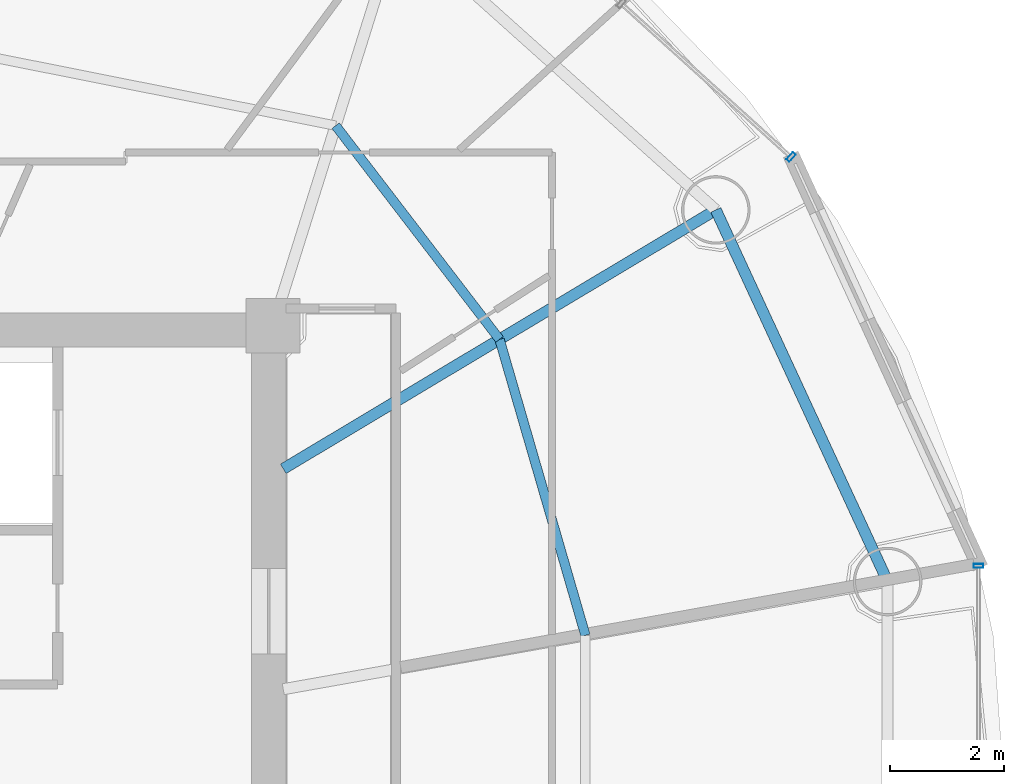
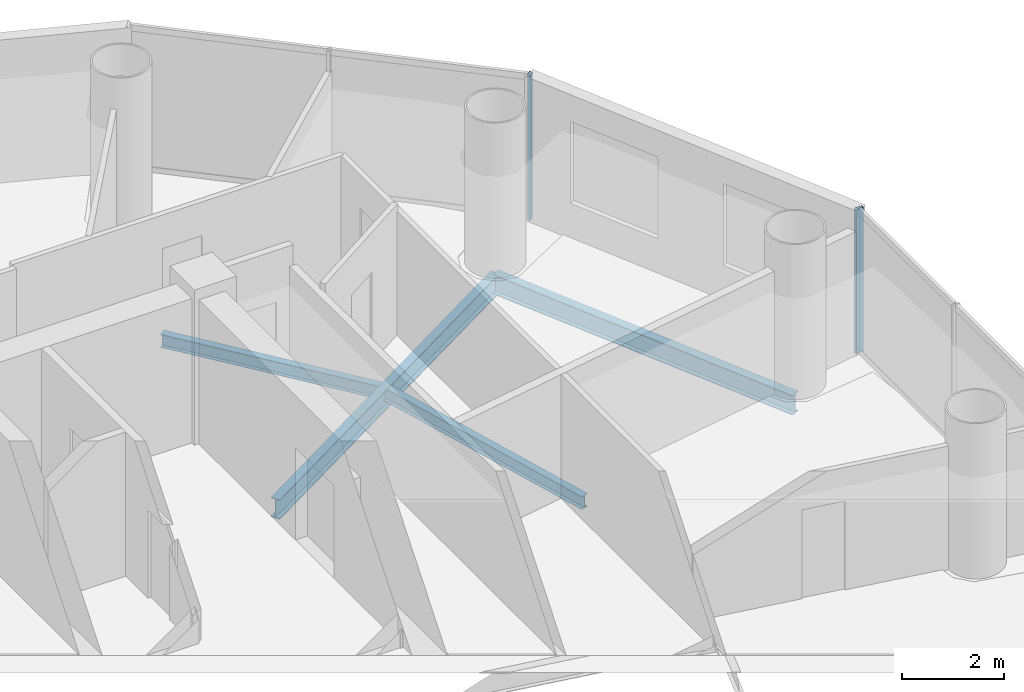
# One storey, part 13 of 27: 4 beams, 2 members, 2 elements without a shape of their own.
"""IFC4 building model written with IfcOpenShell, lengths in metres."""

from ifc_helpers import new_model, si_unit, direction, frame, origin, origin_2d, place, context, subcontext, project, spatial, hollow_rectangle, i_section, extrude, source, transform, mapped, material, material_profile, profile_set, type_object, element, aggregate, save


model = new_model("IFC4")

# Units and contexts
model_context = context("Model", 3, precision=1e-05, world=origin(), true_north=direction((-0.2419218956, 0.970295726276)))
body_context = subcontext(model_context, "Body", "Model", "MODEL_VIEW")
ifc_project = project(units=[si_unit("LENGTHUNIT", "METRE"), si_unit("AREAUNIT", "SQUARE_METRE"), si_unit("VOLUMEUNIT", "CUBIC_METRE"), si_unit("PLANEANGLEUNIT", "RADIAN"), si_unit("MASSUNIT", "GRAM", prefix="KILO")], contexts=[model_context])

# Site, building, storey
site_placement = place(None, origin())
site = spatial("IfcSite", under=ifc_project, at=site_placement, CompositionType="ELEMENT")
building_placement = place(site_placement, origin())
building = spatial("IfcBuilding", under=site, at=building_placement, Name="Cobrevalo Terracotta Tower", CompositionType="ELEMENT")
storey_placement = place(building_placement, frame((0.0, 0.0, 198.60009765625)))
storey = spatial("IfcBuildingStorey", under=building, at=storey_placement, Name="L52", CompositionType="ELEMENT", Elevation=198.60009765625)

# Beams
ifc_material_1 = material(Name="Steel S355", Category="steel")
ifc_material_profile_1 = material_profile(ifc_material_1, i_section(OverallWidth=0.194091796875, OverallDepth=0.468994140625, WebThickness=0.011474609375, FlangeThickness=0.0205078125, at=origin_2d()), Name="W 460x106")
ifc_profile_set_1 = profile_set([ifc_material_profile_1], Name="Steel S355")
beam_type_1 = type_object("IfcBeamType", Name="Structural Beam W 460x106 (Steel S355)", PredefinedType="BEAM", material=ifc_profile_set_1)
beam_1_placement = place(storey_placement, frame((54.754150390625, 36.828125, -0.49951171875), z_axis=(-0.858046392192, -0.513572184651, 0.0), x_axis=(0.513572184651, -0.858046392192, 0.0)))
element("IfcBeam", 1, at=beam_1_placement, inside=storey, type_object=beam_type_1, Name="L52 radial floor girder 02", PredefinedType="BEAM", context=body_context, shape_type="SweptSolid", body=[
    extrude(i_section(OverallWidth=0.194091796875, OverallDepth=0.468994140625, WebThickness=0.011474609375, FlangeThickness=0.0205078125, at=origin_2d()), origin(), (0.0, 0.0, 1.0), 8.827392578125),
])
ifc_material_profile_2 = material_profile(ifc_material_1, i_section(OverallWidth=0.1650390625, OverallDepth=0.31005859375, WebThickness=0.005859375, FlangeThickness=0.009765625, at=origin_2d()), Name="W 310x38.7")
ifc_profile_set_2 = profile_set([ifc_material_profile_2], Name="Steel S355")
beam_type_2 = type_object("IfcBeamType", Name="Structural Joist W 310x38.7 (Steel S355)", PredefinedType="JOIST", material=ifc_profile_set_2)
beam_2_placement = place(storey_placement, frame((52.471435546875, 29.378662109375, -0.420166015625), z_axis=(-0.278769817131, 0.960357948401, 0.0), x_axis=(-0.960357948401, -0.278769817131, 0.0)))
element("IfcBeam", 2, at=beam_2_placement, inside=storey, type_object=beam_type_2, Name="L52 circumferential secondary floor joist 01", PredefinedType="JOIST", context=body_context, shape_type="SweptSolid", body=[
    extrude(i_section(OverallWidth=0.1650390625, OverallDepth=0.31005859375, WebThickness=0.005859375, FlangeThickness=0.009765625, at=origin_2d()), origin(), (0.0, 0.0, 1.0), 5.396484375),
])
beam_3_placement = place(storey_placement, frame((50.967041015625, 34.561279296875, -0.420166015625), z_axis=(-0.608464146296, 0.793581364872, 0.0), x_axis=(-0.793581364872, -0.608464146296, 0.0)))
element("IfcBeam", 3, at=beam_3_placement, inside=storey, type_object=beam_type_2, Name="L52 circumferential secondary floor joist 02", PredefinedType="JOIST", context=body_context, shape_type="SweptSolid", body=[
    extrude(i_section(OverallWidth=0.1650390625, OverallDepth=0.31005859375, WebThickness=0.005859375, FlangeThickness=0.009765625, at=origin_2d()), origin(), (0.0, 0.0, 1.0), 4.716064453125),
])
ifc_material_profile_3 = material_profile(ifc_material_1, i_section(OverallWidth=0.194091796875, OverallDepth=0.468994140625, WebThickness=0.011474609375, FlangeThickness=0.0205078125, at=origin_2d()), Name="W 460x106")
ifc_profile_set_3 = profile_set([ifc_material_profile_3], Name="Steel S355")
beam_type_3 = type_object("IfcBeamType", Name="Structural Spandrel W 460x106 (Steel S355)", PredefinedType="SPANDREL", material=ifc_profile_set_3)
beam_4_placement = place(storey_placement, frame((57.762939453125, 30.3212890625, -0.49951171875), z_axis=(-0.419705965131, 0.907660125176, 0.0), x_axis=(-0.907660125176, -0.419705965131, 0.0)))
element("IfcBeam", 4, at=beam_4_placement, inside=storey, type_object=beam_type_3, Name="L52 perimeter ring spandrel 01", PredefinedType="SPANDREL", context=body_context, shape_type="SweptSolid", body=[
    extrude(i_section(OverallWidth=0.194091796875, OverallDepth=0.468994140625, WebThickness=0.011474609375, FlangeThickness=0.0205078125, at=origin_2d()), origin(), (0.0, 0.0, 1.0), 7.168701171875),
])

# Curtain wall, member
ifc_material_2 = material(Name="Anodized aluminium", Category="aluminium")
curtain_wall_type = type_object("IfcCurtainWallType", Name="Mid-tower high-wind unitised curtain wall CW-U2", PredefinedType="NOTDEFINED", material=ifc_material_2)
curtain_wall_1_placement = place(storey_placement, origin())
curtain_wall_1 = element("IfcCurtainWall", 5, at=curtain_wall_1_placement, inside=storey, type_object=curtain_wall_type, Name="L52 curtain wall CW-L52-S02", PredefinedType="NOTDEFINED")
ifc_material_profile_4 = material_profile(ifc_material_2, hollow_rectangle(XDim=0.070068359375, YDim=0.169921875, WallThickness=0.00439453125, at=origin_2d()), Name="CWM 70x170")
ifc_profile_set_4 = profile_set([ifc_material_profile_4], Name="Anodized aluminium")
member_type = type_object("IfcMemberType", Name="Upper tower unitised mullion 70x170", PredefinedType="MULLION", material=ifc_profile_set_4)
shared_shape = source(origin(), body_context, "Body", "SweptSolid", [
    extrude(hollow_rectangle(XDim=0.070068359375, YDim=0.169921875, WallThickness=0.00439453125, at=origin_2d()), origin(), (0.0, 0.0, 1.0), 3.434814453125),
])
member_1_placement = place(storey_placement, frame((56.071533203125, 37.7548828125, 0.0), z_axis=(0.0, 0.0, 1.0), x_axis=(-0.741987542015, 0.670413668935, 0.0)))
member_1 = element("IfcMember", 6, at=member_1_placement, type_object=member_type, Name="CW-L52-S02 vertical mullion 01", PredefinedType="MULLION", context=body_context, shape_type="MappedRepresentation", body=[
    mapped(shared_shape, transform((0.0, 0.0, 0.0), scale=1.0)),
])
aggregate(curtain_wall_1, [member_1])

curtain_wall_2_placement = place(storey_placement, origin())
curtain_wall_2 = element("IfcCurtainWall", 7, at=curtain_wall_2_placement, inside=storey, type_object=curtain_wall_type, Name="L52 curtain wall CW-L52-S16", PredefinedType="NOTDEFINED")
member_2_placement = place(storey_placement, frame((59.351806640625, 30.597412109375, 0.0), z_axis=(0.0, 0.0, 1.0), x_axis=(0.0, 1.0, 0.0)))
member_2 = element("IfcMember", 8, at=member_2_placement, type_object=member_type, Name="CW-L52-S16 vertical mullion 03", PredefinedType="MULLION", context=body_context, shape_type="MappedRepresentation", body=[
    mapped(shared_shape, transform((0.0, 0.0, 0.0), scale=1.0)),
])
aggregate(curtain_wall_2, [member_2])

save(model, "model.ifc")
